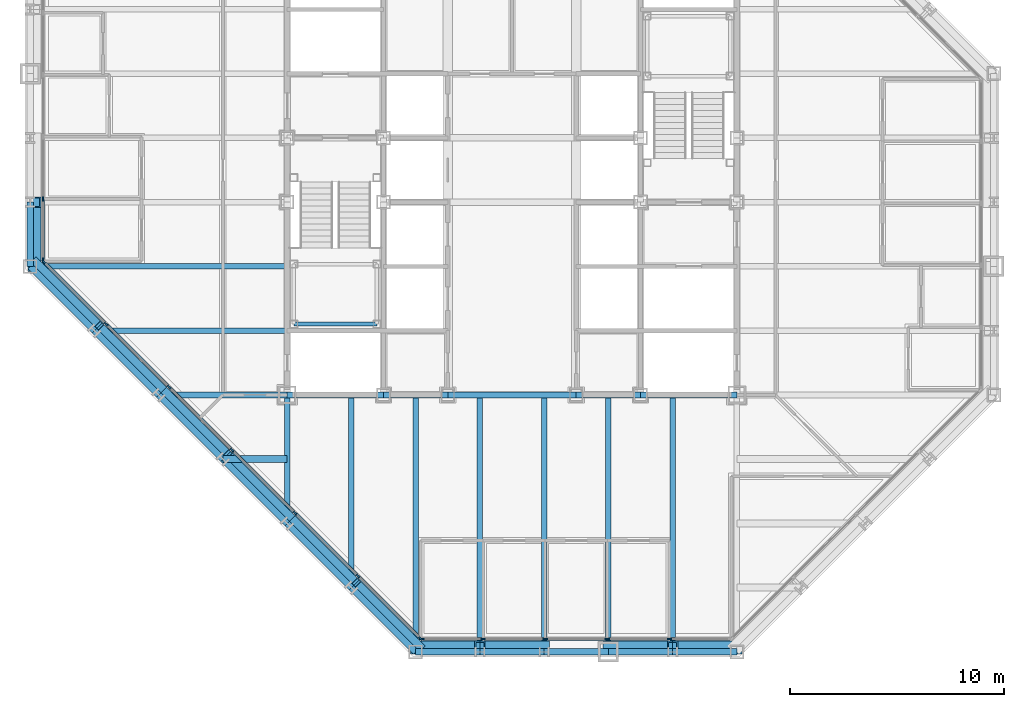
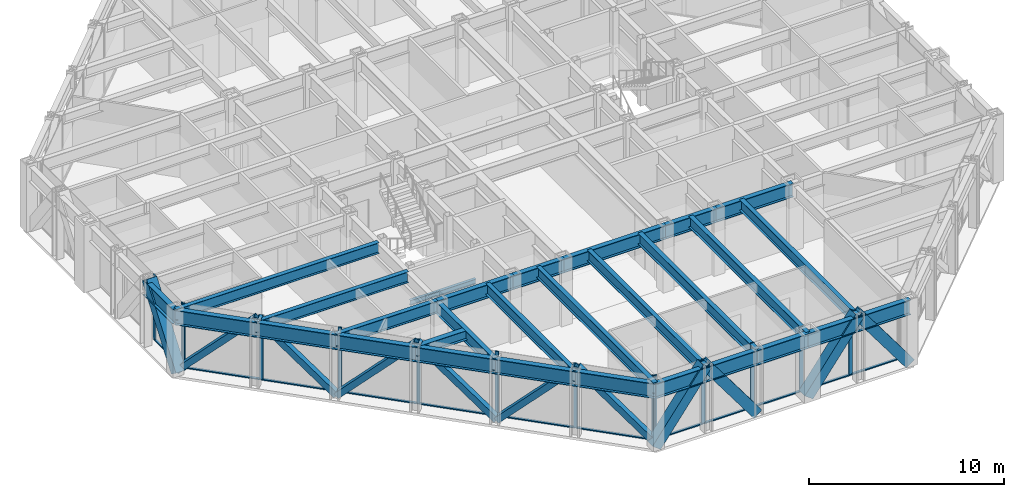
# One storey, part 4 of 15: 37 members, 29 beams, 3 elements without a shape of their own.
"""IFC4 building model written with IfcOpenShell, lengths in metres."""

from ifc_helpers import new_model, si_unit, direction, frame, origin, origin_2d, place, context, subcontext, project, spatial, rectangle, hollow_rectangle, i_section, extrude, material, layer, layer_set, material_profile, profile_set, type_object, element, aggregate, save


model = new_model("IFC4")

# Units and contexts
model_context = context("Model", 3, precision=1e-05, world=origin(), true_north=direction((0.0, 1.0)))
body_context = subcontext(model_context, "Body", "Model", "MODEL_VIEW")
ifc_project = project(units=[si_unit("LENGTHUNIT", "METRE"), si_unit("AREAUNIT", "SQUARE_METRE"), si_unit("VOLUMEUNIT", "CUBIC_METRE"), si_unit("PLANEANGLEUNIT", "RADIAN"), si_unit("MASSUNIT", "GRAM", prefix="KILO")], contexts=[model_context])

# Site, building, storey
site_placement = place(None, origin())
site = spatial("IfcSite", under=ifc_project, at=site_placement, CompositionType="ELEMENT")
building_placement = place(site_placement, origin())
building = spatial("IfcBuilding", under=site, at=building_placement, Name="Chuquiago Exchange Tower", CompositionType="ELEMENT")
storey_placement = place(building_placement, frame((0.0, 0.0, 192.89990234375)))
storey = spatial("IfcBuildingStorey", under=building, at=storey_placement, Name="L42", CompositionType="ELEMENT", Elevation=192.89990234375)

# Beams
ifc_material_1 = material(Name="Steel ASTM A992", Category="steel")
ifc_material_profile_1 = material_profile(ifc_material_1, i_section(OverallWidth=0.25390625, OverallDepth=0.683349609375, WebThickness=0.012451171875, FlangeThickness=0.018798828125, at=origin_2d()), Name="W27X94")
ifc_profile_set_1 = profile_set([ifc_material_profile_1], Name="Steel ASTM A992")
beam_type_1 = type_object("IfcBeamType", Name="B1 W27X94", PredefinedType="BEAM", material=ifc_profile_set_1)
beam_1_placement = place(storey_placement, frame((15.0, 12.0, 3.698486328125), z_axis=(0.0, -1.0, 0.0), x_axis=(1.0, 0.0, 0.0)))
element("IfcBeam", 1, at=beam_1_placement, inside=storey, type_object=beam_type_1, Name="FB-L43-infill-15_12-15_3-0", PredefinedType="BEAM", context=body_context, shape_type="SweptSolid", body=[
    extrude(i_section(OverallWidth=0.25390625, OverallDepth=0.683349609375, WebThickness=0.012451171875, FlangeThickness=0.018798828125, at=origin_2d()), origin(), (0.0, 0.0, 1.0), 9.0),
])
for number, where, z_axis, x_axis, name in (
    (2, (18.0, 12.0, 3.698486328125), (0.0, -1.0, 0.0), (1.0, 0.0, 0.0), "FB-L43-infill-18_12-18_-0-0"),
    (3, (21.0, 12.0, 3.698486328125), (0.0, -1.0, 0.0), (1.0, 0.0, 0.0), "FB-L43-infill-21_12-21_-0-0"),
    (4, (24.0, 12.0, 3.698486328125), (0.0, -1.0, 0.0), (1.0, 0.0, 0.0), "FB-L43-infill-24_12-24_-0-0"),
    (5, (27.0, 12.0, 3.698486328125), (0.0, -1.0, 0.0), (1.0, 0.0, 0.0), "FB-L43-infill-27_12-27_-0-0"),
    (6, (30.0, 12.0, 3.698486328125), (0.0, -1.0, 0.0), (1.0, 0.0, 0.0), "FB-L43-infill-30_12-30_-0-0"),
):
    element("IfcBeam", number, at=place(storey_placement, frame(where, z_axis=z_axis, x_axis=x_axis)), inside=storey, type_object=beam_type_1, Name=name, PredefinedType="BEAM", context=body_context, shape_type="SweptSolid", body=[
        extrude(i_section(OverallWidth=0.25390625, OverallDepth=0.683349609375, WebThickness=0.012451171875, FlangeThickness=0.018798828125, at=origin_2d()), origin(), (0.0, 0.0, 1.0), 12.0),
    ])
beam_2_placement = place(storey_placement, frame((12.0, 15.0, 3.698486328125), z_axis=(-1.0, 0.0, 0.0), x_axis=(0.0, -1.0, 0.0)))
element("IfcBeam", 7, at=beam_2_placement, inside=storey, type_object=beam_type_1, Name="FB-L43-infill-12_15-3_15-0", PredefinedType="BEAM", context=body_context, shape_type="SweptSolid", body=[
    extrude(i_section(OverallWidth=0.25390625, OverallDepth=0.683349609375, WebThickness=0.012451171875, FlangeThickness=0.018798828125, at=origin_2d()), origin(), (0.0, 0.0, 1.0), 9.0),
])
beam_3_placement = place(storey_placement, frame((12.0, 18.0, 3.698486328125), z_axis=(-1.0, 0.0, 0.0), x_axis=(0.0, -1.0, 0.0)))
element("IfcBeam", 8, at=beam_3_placement, inside=storey, type_object=beam_type_1, Name="FB-L43-infill-12_18--0_18-0", PredefinedType="BEAM", context=body_context, shape_type="SweptSolid", body=[
    extrude(i_section(OverallWidth=0.25390625, OverallDepth=0.683349609375, WebThickness=0.012451171875, FlangeThickness=0.018798828125, at=origin_2d()), origin(), (0.0, 0.0, 1.0), 12.0),
])
ifc_material_2 = material(Name="Steel ASTM A992", Category="steel")
ifc_material_profile_2 = material_profile(ifc_material_2, i_section(OverallWidth=0.3251953125, OverallDepth=0.612060546875, WebThickness=0.0126953125, FlangeThickness=0.01904296875, at=origin_2d()), Name="W24X104")
ifc_profile_set_2 = profile_set([ifc_material_profile_2], Name="Steel ASTM A992")
beam_type_2 = type_object("IfcBeamType", Name="B2 W24X104", PredefinedType="BEAM", material=ifc_profile_set_2)
beam_4_placement = place(storey_placement, frame((12.0, 9.0, 3.73388671875), z_axis=(-1.0, 0.0, 0.0), x_axis=(0.0, -1.0, 0.0)))
element("IfcBeam", 9, at=beam_4_placement, inside=storey, type_object=beam_type_2, Name="FB-L43-corner-12_9-9_9-0", PredefinedType="BEAM", context=body_context, shape_type="SweptSolid", body=[
    extrude(i_section(OverallWidth=0.3251953125, OverallDepth=0.612060546875, WebThickness=0.0126953125, FlangeThickness=0.01904296875, at=origin_2d()), origin(), (0.0, 0.0, 1.0), 3.0),
])
ifc_material_3 = material(Name="Steel ASTM A992", Category="steel")
ifc_material_profile_3 = material_profile(ifc_material_3, i_section(OverallWidth=0.2919921875, OverallDepth=0.8583984375, WebThickness=0.01708984375, FlangeThickness=0.031005859375, at=origin_2d()), Name="W33X169")
ifc_profile_set_3 = profile_set([ifc_material_profile_3], Name="Steel ASTM A992")
beam_type_3 = type_object("IfcBeamType", Name="B3 W33X169", PredefinedType="BEAM", material=ifc_profile_set_3)
beam_5_placement = place(storey_placement, frame((12.0, 12.0, 3.61083984375), z_axis=(1.0, 0.0, 0.0), x_axis=(0.0, 1.0, 0.0)))
element("IfcBeam", 10, at=beam_5_placement, inside=storey, type_object=beam_type_3, Name="CB-L43-12_12-16.5_12", PredefinedType="BEAM", context=body_context, shape_type="SweptSolid", body=[
    extrude(i_section(OverallWidth=0.2919921875, OverallDepth=0.8583984375, WebThickness=0.01708984375, FlangeThickness=0.031005859375, at=origin_2d()), origin(), (0.0, 0.0, 1.0), 4.5),
])
beam_6_placement = place(storey_placement, frame((16.5, 12.0, 3.61083984375), z_axis=(1.0, 0.0, 0.0), x_axis=(0.0, 1.0, 0.0)))
element("IfcBeam", 11, at=beam_6_placement, inside=storey, type_object=beam_type_3, Name="CB-L43-16.5_12-19.5_12", PredefinedType="BEAM", context=body_context, shape_type="SweptSolid", body=[
    extrude(i_section(OverallWidth=0.2919921875, OverallDepth=0.8583984375, WebThickness=0.01708984375, FlangeThickness=0.031005859375, at=origin_2d()), origin(), (0.0, 0.0, 1.0), 3.0),
])
beam_7_placement = place(storey_placement, frame((19.5, 12.0, 3.61083984375), z_axis=(1.0, 0.0, 0.0), x_axis=(0.0, 1.0, 0.0)))
element("IfcBeam", 12, at=beam_7_placement, inside=storey, type_object=beam_type_3, Name="CB-L43-19.5_12-25.5_12", PredefinedType="BEAM", context=body_context, shape_type="SweptSolid", body=[
    extrude(i_section(OverallWidth=0.2919921875, OverallDepth=0.8583984375, WebThickness=0.01708984375, FlangeThickness=0.031005859375, at=origin_2d()), origin(), (0.0, 0.0, 1.0), 6.0),
])
beam_8_placement = place(storey_placement, frame((25.5, 12.0, 3.61083984375), z_axis=(1.0, 0.0, 0.0), x_axis=(0.0, 1.0, 0.0)))
element("IfcBeam", 13, at=beam_8_placement, inside=storey, type_object=beam_type_3, Name="CB-L43-25.5_12-28.5_12", PredefinedType="BEAM", context=body_context, shape_type="SweptSolid", body=[
    extrude(i_section(OverallWidth=0.2919921875, OverallDepth=0.8583984375, WebThickness=0.01708984375, FlangeThickness=0.031005859375, at=origin_2d()), origin(), (0.0, 0.0, 1.0), 3.0),
])
beam_9_placement = place(storey_placement, frame((28.5, 12.0, 3.61083984375), z_axis=(1.0, 0.0, 0.0), x_axis=(0.0, 1.0, 0.0)))
element("IfcBeam", 14, at=beam_9_placement, inside=storey, type_object=beam_type_3, Name="CB-L43-28.5_12-33_12", PredefinedType="BEAM", context=body_context, shape_type="SweptSolid", body=[
    extrude(i_section(OverallWidth=0.2919921875, OverallDepth=0.8583984375, WebThickness=0.01708984375, FlangeThickness=0.031005859375, at=origin_2d()), origin(), (0.0, 0.0, 1.0), 4.5),
])

# Curtain wall, members
ifc_material_4 = material(Name="Aluminium curtain wall system", Category="aluminium")
ifc_layer_1 = layer(ifc_material_4, 0.22509765625)
ifc_layer_set_1 = layer_set([ifc_layer_1], Name="CW2 office curtain wall")
curtain_wall_type_1 = type_object("IfcCurtainWallType", Name="CW2 office curtain wall", PredefinedType="NOTDEFINED", material=ifc_layer_set_1)
curtain_wall_1_placement = place(storey_placement, origin())
curtain_wall_1 = element("IfcCurtainWall", 15, at=curtain_wall_1_placement, inside=storey, type_object=curtain_wall_type_1, Name="CW2 curtain wall L42", PredefinedType="NOTDEFINED")
ifc_material_5 = material(Name="Aluminium mullion, pale anodised", Category="aluminium")
ifc_material_profile_4 = material_profile(ifc_material_5, rectangle(XDim=0.06494140625, YDim=0.22509765625, at=origin_2d()), Name="AL 65x225")
ifc_profile_set_4 = profile_set([ifc_material_profile_4], Name="Aluminium mullion, pale anodised")
member_type_1 = type_object("IfcMemberType", Name="CW2-M mullion 65x225", PredefinedType="MULLION", material=ifc_profile_set_4)
member_1_placement = place(storey_placement, frame((18.281005859375, 0.60009765625, 0.0), z_axis=(0.0, 0.0, 1.0), x_axis=(0.0, 1.0, 0.0)))
member_1 = element("IfcMember", 16, at=member_1_placement, type_object=member_type_1, Name="CW2 mullion 1", PredefinedType="MULLION", context=body_context, shape_type="SweptSolid", body=[
    extrude(rectangle(XDim=0.06494140625, YDim=0.22509765625, at=origin_2d()), origin(), (0.0, 0.0, 1.0), 4.0400390625),
])
member_2_placement = place(storey_placement, frame((21.149169921875, 0.60009765625, 0.0), z_axis=(0.0, 0.0, 1.0), x_axis=(0.0, 1.0, 0.0)))
member_2 = element("IfcMember", 17, at=member_2_placement, type_object=member_type_1, Name="CW2 mullion 2", PredefinedType="MULLION", context=body_context, shape_type="SweptSolid", body=[
    extrude(rectangle(XDim=0.06494140625, YDim=0.22509765625, at=origin_2d()), origin(), (0.0, 0.0, 1.0), 4.0400390625),
])
member_3_placement = place(storey_placement, frame((24.0498046875, 0.60009765625, 0.0), z_axis=(0.0, 0.0, 1.0), x_axis=(0.0, 1.0, 0.0)))
member_3 = element("IfcMember", 18, at=member_3_placement, type_object=member_type_1, Name="CW2 mullion 3", PredefinedType="MULLION", context=body_context, shape_type="SweptSolid", body=[
    extrude(rectangle(XDim=0.06494140625, YDim=0.22509765625, at=origin_2d()), origin(), (0.0, 0.0, 1.0), 4.0400390625),
])
member_4_placement = place(storey_placement, frame((26.9501953125, 0.60009765625, 0.0), z_axis=(0.0, 0.0, 1.0), x_axis=(0.0, 1.0, 0.0)))
member_4 = element("IfcMember", 19, at=member_4_placement, type_object=member_type_1, Name="CW2 mullion 4", PredefinedType="MULLION", context=body_context, shape_type="SweptSolid", body=[
    extrude(rectangle(XDim=0.06494140625, YDim=0.22509765625, at=origin_2d()), origin(), (0.0, 0.0, 1.0), 4.0400390625),
])
member_5_placement = place(storey_placement, frame((29.850830078125, 0.60009765625, 0.0), z_axis=(0.0, 0.0, 1.0), x_axis=(0.0, 1.0, 0.0)))
member_5 = element("IfcMember", 20, at=member_5_placement, type_object=member_type_1, Name="CW2 mullion 5", PredefinedType="MULLION", context=body_context, shape_type="SweptSolid", body=[
    extrude(rectangle(XDim=0.06494140625, YDim=0.22509765625, at=origin_2d()), origin(), (0.0, 0.0, 1.0), 4.0400390625),
])

curtain_wall_2_placement = place(storey_placement, origin())
curtain_wall_2 = element("IfcCurtainWall", 21, at=curtain_wall_2_placement, inside=storey, type_object=curtain_wall_type_1, Name="CW2 curtain wall L42", PredefinedType="NOTDEFINED")
member_6_placement = place(storey_placement, frame((0.60009765625, 21.149169921875, 0.0), z_axis=(0.0, 0.0, 1.0), x_axis=(1.0, 0.0, 0.0)))
member_6 = element("IfcMember", 22, at=member_6_placement, type_object=member_type_1, Name="CW2 mullion 5", PredefinedType="MULLION", context=body_context, shape_type="SweptSolid", body=[
    extrude(rectangle(XDim=0.06494140625, YDim=0.22509765625, at=origin_2d()), origin(), (0.0, 0.0, 1.0), 4.0400390625),
])
member_7_placement = place(storey_placement, frame((0.60009765625, 18.281005859375, 0.0), z_axis=(0.0, 0.0, 1.0), x_axis=(1.0, 0.0, 0.0)))
member_7 = element("IfcMember", 23, at=member_7_placement, type_object=member_type_1, Name="CW2 mullion 6", PredefinedType="MULLION", context=body_context, shape_type="SweptSolid", body=[
    extrude(rectangle(XDim=0.06494140625, YDim=0.22509765625, at=origin_2d()), origin(), (0.0, 0.0, 1.0), 4.0400390625),
])

# Member
ifc_material_6 = material(Name="Aluminium transom, pale anodised", Category="aluminium")
ifc_material_profile_5 = material_profile(ifc_material_6, rectangle(XDim=0.139892578125, YDim=0.06494140625, at=origin_2d()), Name="AL 140x65")
ifc_profile_set_5 = profile_set([ifc_material_profile_5], Name="Aluminium transom, pale anodised")
member_type_2 = type_object("IfcMemberType", Name="CW2-T transom 65x140", PredefinedType="MULLION", material=ifc_profile_set_5)
member_8_placement = place(storey_placement, frame((18.3134765625, 0.60009765625, 0.03271484375), z_axis=(1.0, 0.0, 0.0), x_axis=(0.0, 1.0, 0.0)))
member_8 = element("IfcMember", 24, at=member_8_placement, type_object=member_type_2, Name="CW2 transom 1.1", PredefinedType="MULLION", context=body_context, shape_type="SweptSolid", body=[
    extrude(rectangle(XDim=0.139892578125, YDim=0.06494140625, at=origin_2d()), origin(), (0.0, 0.0, 1.0), 2.80322265625),
])

member_9_placement = place(storey_placement, frame((21.181640625, 0.60009765625, 0.03271484375), z_axis=(1.0, 0.0, 0.0), x_axis=(0.0, 1.0, 0.0)))
member_9 = element("IfcMember", 25, at=member_9_placement, type_object=member_type_2, Name="CW2 transom 2.1", PredefinedType="MULLION", context=body_context, shape_type="SweptSolid", body=[
    extrude(rectangle(XDim=0.139892578125, YDim=0.06494140625, at=origin_2d()), origin(), (0.0, 0.0, 1.0), 2.83544921875),
])

member_10_placement = place(storey_placement, frame((24.082275390625, 0.60009765625, 0.03271484375), z_axis=(1.0, 0.0, 0.0), x_axis=(0.0, 1.0, 0.0)))
member_10 = element("IfcMember", 26, at=member_10_placement, type_object=member_type_2, Name="CW2 transom 3.1", PredefinedType="MULLION", context=body_context, shape_type="SweptSolid", body=[
    extrude(rectangle(XDim=0.139892578125, YDim=0.06494140625, at=origin_2d()), origin(), (0.0, 0.0, 1.0), 2.83544921875),
])

member_11_placement = place(storey_placement, frame((26.98291015625, 0.60009765625, 0.03271484375), z_axis=(1.0, 0.0, 0.0), x_axis=(0.0, 1.0, 0.0)))
member_11 = element("IfcMember", 27, at=member_11_placement, type_object=member_type_2, Name="CW2 transom 4.1", PredefinedType="MULLION", context=body_context, shape_type="SweptSolid", body=[
    extrude(rectangle(XDim=0.139892578125, YDim=0.06494140625, at=origin_2d()), origin(), (0.0, 0.0, 1.0), 2.83544921875),
])

member_12_placement = place(storey_placement, frame((29.88330078125, 0.60009765625, 0.03271484375), z_axis=(1.0, 0.0, 0.0), x_axis=(0.0, 1.0, 0.0)))
member_12 = element("IfcMember", 28, at=member_12_placement, type_object=member_type_2, Name="CW2 transom 5.1", PredefinedType="MULLION", context=body_context, shape_type="SweptSolid", body=[
    extrude(rectangle(XDim=0.139892578125, YDim=0.06494140625, at=origin_2d()), origin(), (0.0, 0.0, 1.0), 2.80322265625),
])

aggregate(curtain_wall_1, [member_1, member_2, member_3, member_4, member_5, member_8, member_9, member_10, member_11, member_12])

member_13_placement = place(storey_placement, frame((0.60009765625, 21.11669921875, 0.03271484375), z_axis=(0.0, -1.0, 0.0), x_axis=(1.0, 0.0, 0.0)))
member_13 = element("IfcMember", 29, at=member_13_placement, type_object=member_type_2, Name="CW2 transom 5.1", PredefinedType="MULLION", context=body_context, shape_type="SweptSolid", body=[
    extrude(rectangle(XDim=0.139892578125, YDim=0.06494140625, at=origin_2d()), origin(), (0.0, 0.0, 1.0), 2.80322265625),
])

aggregate(curtain_wall_2, [member_6, member_7, member_13])

# Curtain wall, members
ifc_material_7 = material(Name="Aluminium curtain wall system", Category="aluminium")
ifc_layer_2 = layer(ifc_material_7, 0.199951171875)
ifc_layer_set_2 = layer_set([ifc_layer_2], Name="CW3 facet curtain wall")
curtain_wall_type_2 = type_object("IfcCurtainWallType", Name="CW3 facet curtain wall", PredefinedType="NOTDEFINED", material=ifc_layer_set_2)
curtain_wall_3_placement = place(storey_placement, origin())
curtain_wall_3 = element("IfcCurtainWall", 30, at=curtain_wall_3_placement, inside=storey, type_object=curtain_wall_type_2, Name="CW3 curtain wall L42", PredefinedType="NOTDEFINED")
ifc_material_8 = material(Name="Aluminium mullion, pale anodised", Category="aluminium")
ifc_material_profile_6 = material_profile(ifc_material_8, rectangle(XDim=0.06494140625, YDim=0.199951171875, at=origin_2d()), Name="AL 65x200")
ifc_profile_set_6 = profile_set([ifc_material_profile_6], Name="Aluminium mullion, pale anodised")
member_type_3 = type_object("IfcMemberType", Name="CW3-M mullion 65x200", PredefinedType="MULLION", material=ifc_profile_set_6)
member_14_placement = place(storey_placement, frame((0.623046875, 18.2255859375, 0.0), z_axis=(0.0, 0.0, 1.0), x_axis=(0.707106781187, 0.707106781187, 0.0)))
member_14 = element("IfcMember", 31, at=member_14_placement, type_object=member_type_3, Name="CW3 mullion 1", PredefinedType="MULLION", context=body_context, shape_type="SweptSolid", body=[
    extrude(rectangle(XDim=0.06494140625, YDim=0.199951171875, at=origin_2d()), origin(), (0.0, 0.0, 1.0), 4.0400390625),
])
member_15_placement = place(storey_placement, frame((3.54150390625, 15.30712890625, 0.0), z_axis=(0.0, 0.0, 1.0), x_axis=(0.707106781187, 0.707106781187, 0.0)))
member_15 = element("IfcMember", 32, at=member_15_placement, type_object=member_type_3, Name="CW3 mullion 2", PredefinedType="MULLION", context=body_context, shape_type="SweptSolid", body=[
    extrude(rectangle(XDim=0.06494140625, YDim=0.199951171875, at=origin_2d()), origin(), (0.0, 0.0, 1.0), 4.0400390625),
])
member_16_placement = place(storey_placement, frame((6.48291015625, 12.36572265625, 0.0), z_axis=(0.0, 0.0, 1.0), x_axis=(0.707106781187, 0.707106781187, 0.0)))
member_16 = element("IfcMember", 33, at=member_16_placement, type_object=member_type_3, Name="CW3 mullion 3", PredefinedType="MULLION", context=body_context, shape_type="SweptSolid", body=[
    extrude(rectangle(XDim=0.06494140625, YDim=0.199951171875, at=origin_2d()), origin(), (0.0, 0.0, 1.0), 4.0400390625),
])
member_17_placement = place(storey_placement, frame((9.42431640625, 9.42431640625, 0.0), z_axis=(0.0, 0.0, 1.0), x_axis=(0.707106781187, 0.707106781187, 0.0)))
member_17 = element("IfcMember", 34, at=member_17_placement, type_object=member_type_3, Name="CW3 mullion 4", PredefinedType="MULLION", context=body_context, shape_type="SweptSolid", body=[
    extrude(rectangle(XDim=0.06494140625, YDim=0.199951171875, at=origin_2d()), origin(), (0.0, 0.0, 1.0), 4.0400390625),
])
member_18_placement = place(storey_placement, frame((12.36572265625, 6.48291015625, 0.0), z_axis=(0.0, 0.0, 1.0), x_axis=(0.707106781187, 0.707106781187, 0.0)))
member_18 = element("IfcMember", 35, at=member_18_placement, type_object=member_type_3, Name="CW3 mullion 5", PredefinedType="MULLION", context=body_context, shape_type="SweptSolid", body=[
    extrude(rectangle(XDim=0.06494140625, YDim=0.199951171875, at=origin_2d()), origin(), (0.0, 0.0, 1.0), 4.0400390625),
])
member_19_placement = place(storey_placement, frame((15.30712890625, 3.54150390625, 0.0), z_axis=(0.0, 0.0, 1.0), x_axis=(0.707106781187, 0.707106781187, 0.0)))
member_19 = element("IfcMember", 36, at=member_19_placement, type_object=member_type_3, Name="CW3 mullion 6", PredefinedType="MULLION", context=body_context, shape_type="SweptSolid", body=[
    extrude(rectangle(XDim=0.06494140625, YDim=0.199951171875, at=origin_2d()), origin(), (0.0, 0.0, 1.0), 4.0400390625),
])
member_20_placement = place(storey_placement, frame((18.2255859375, 0.623046875, 0.0), z_axis=(0.0, 0.0, 1.0), x_axis=(0.707106781187, 0.707106781187, 0.0)))
member_20 = element("IfcMember", 37, at=member_20_placement, type_object=member_type_3, Name="CW3 mullion 7", PredefinedType="MULLION", context=body_context, shape_type="SweptSolid", body=[
    extrude(rectangle(XDim=0.06494140625, YDim=0.199951171875, at=origin_2d()), origin(), (0.0, 0.0, 1.0), 4.0400390625),
])
ifc_material_9 = material(Name="Aluminium transom, pale anodised", Category="aluminium")
ifc_material_profile_7 = material_profile(ifc_material_9, rectangle(XDim=0.139892578125, YDim=0.06494140625, at=origin_2d()), Name="AL 140x65")
ifc_profile_set_7 = profile_set([ifc_material_profile_7], Name="Aluminium transom, pale anodised")
member_type_4 = type_object("IfcMemberType", Name="CW3-T transom 65x140", PredefinedType="MULLION", material=ifc_profile_set_7)
member_21_placement = place(storey_placement, frame((0.64599609375, 18.20263671875, 0.03271484375), z_axis=(0.707106781187, -0.707106781187, 0.0), x_axis=(0.707106781187, 0.707106781187, 0.0)))
member_21 = element("IfcMember", 38, at=member_21_placement, type_object=member_type_4, Name="CW3 transom 1.1", PredefinedType="MULLION", context=body_context, shape_type="SweptSolid", body=[
    extrude(rectangle(XDim=0.139892578125, YDim=0.06494140625, at=origin_2d()), origin(), (0.0, 0.0, 1.0), 4.0625),
])
member_22_placement = place(storey_placement, frame((3.564453125, 15.2841796875, 0.03271484375), z_axis=(0.707106781187, -0.707106781187, 0.0), x_axis=(0.707106781187, 0.707106781187, 0.0)))
member_22 = element("IfcMember", 39, at=member_22_placement, type_object=member_type_4, Name="CW3 transom 2.1", PredefinedType="MULLION", context=body_context, shape_type="SweptSolid", body=[
    extrude(rectangle(XDim=0.139892578125, YDim=0.06494140625, at=origin_2d()), origin(), (0.0, 0.0, 1.0), 4.094970703125),
])
member_23_placement = place(storey_placement, frame((6.505859375, 12.3427734375, 0.03271484375), z_axis=(0.707106781187, -0.707106781187, 0.0), x_axis=(0.707106781187, 0.707106781187, 0.0)))
member_23 = element("IfcMember", 40, at=member_23_placement, type_object=member_type_4, Name="CW3 transom 3.1", PredefinedType="MULLION", context=body_context, shape_type="SweptSolid", body=[
    extrude(rectangle(XDim=0.139892578125, YDim=0.06494140625, at=origin_2d()), origin(), (0.0, 0.0, 1.0), 4.094970703125),
])
member_24_placement = place(storey_placement, frame((9.447265625, 9.4013671875, 0.03271484375), z_axis=(0.707106781187, -0.707106781187, 0.0), x_axis=(0.707106781187, 0.707106781187, 0.0)))
member_24 = element("IfcMember", 41, at=member_24_placement, type_object=member_type_4, Name="CW3 transom 4.1", PredefinedType="MULLION", context=body_context, shape_type="SweptSolid", body=[
    extrude(rectangle(XDim=0.139892578125, YDim=0.06494140625, at=origin_2d()), origin(), (0.0, 0.0, 1.0), 4.094970703125),
])
member_25_placement = place(storey_placement, frame((12.388671875, 6.4599609375, 0.03271484375), z_axis=(0.707106781187, -0.707106781187, 0.0), x_axis=(0.707106781187, 0.707106781187, 0.0)))
member_25 = element("IfcMember", 42, at=member_25_placement, type_object=member_type_4, Name="CW3 transom 5.1", PredefinedType="MULLION", context=body_context, shape_type="SweptSolid", body=[
    extrude(rectangle(XDim=0.139892578125, YDim=0.06494140625, at=origin_2d()), origin(), (0.0, 0.0, 1.0), 4.094970703125),
])
member_26_placement = place(storey_placement, frame((15.330078125, 3.5185546875, 0.03271484375), z_axis=(0.707106781187, -0.707106781187, 0.0), x_axis=(0.707106781187, 0.707106781187, 0.0)))
member_26 = element("IfcMember", 43, at=member_26_placement, type_object=member_type_4, Name="CW3 transom 6.1", PredefinedType="MULLION", context=body_context, shape_type="SweptSolid", body=[
    extrude(rectangle(XDim=0.139892578125, YDim=0.06494140625, at=origin_2d()), origin(), (0.0, 0.0, 1.0), 4.0625),
])
aggregate(curtain_wall_3, [member_14, member_15, member_16, member_17, member_18, member_19, member_20, member_21, member_22, member_23, member_24, member_25, member_26])

# Beams
ifc_material_10 = material(Name="Steel ASTM A992", Category="steel")
ifc_material_profile_8 = material_profile(ifc_material_10, i_section(OverallWidth=0.2666015625, OverallDepth=0.76953125, WebThickness=0.015625, FlangeThickness=0.025390625, at=origin_2d()), Name="W30X132")
ifc_profile_set_8 = profile_set([ifc_material_profile_8], Name="Steel ASTM A992")
beam_type_4 = type_object("IfcBeamType", Name="G1 W30X132", PredefinedType="BEAM", material=ifc_profile_set_8)
for number, where, z_axis, x_axis, name in (
    (44, (12.0, 12.0, 3.6552734375), (0.0, -1.0, 0.0), (1.0, 0.0, 0.0), "FB-L43-girder-12_12-12_6-0"),
    (45, (12.0, 12.0, 3.6552734375), (-1.0, 0.0, 0.0), (0.0, -1.0, 0.0), "FB-L43-girder-12_12-6_12-0"),
):
    element("IfcBeam", number, at=place(storey_placement, frame(where, z_axis=z_axis, x_axis=x_axis)), inside=storey, type_object=beam_type_4, Name=name, PredefinedType="BEAM", context=body_context, shape_type="SweptSolid", body=[
        extrude(i_section(OverallWidth=0.2666015625, OverallDepth=0.76953125, WebThickness=0.015625, FlangeThickness=0.025390625, at=origin_2d()), origin(), (0.0, 0.0, 1.0), 6.0),
    ])

# Members
ifc_material_11 = material(Name="Steel ASTM A500 Grade C", Category="steel")
ifc_material_profile_9 = material_profile(ifc_material_11, hollow_rectangle(XDim=0.355712890625, YDim=0.355712890625, WallThickness=0.0146484375, at=origin_2d()), Name="HSS14X14X5/8")
ifc_profile_set_9 = profile_set([ifc_material_profile_9], Name="Steel ASTM A500 Grade C")
member_type_5 = type_object("IfcMemberType", Name="LB2 HSS14X14X5/8", PredefinedType="BRACE", material=ifc_profile_set_9)
for number, where, z_axis, x_axis, name in (
    (46, (0.2314453125, 18.2314453125, 0.0), (0.512077265487, -0.512077265487, 0.689604051861), (0.707106781187, 0.707106781187, 0.0), "LB-L42-0_18-3_15"),
    (47, (6.2314453125, 12.2314453125, 0.0), (-0.512077265487, 0.512077265487, 0.689604051861), (-0.707106781187, -0.707106781187, 0.0), "LB-L42-3_15-6_12"),
    (48, (6.2314453125, 12.2314453125, 0.0), (0.512077265487, -0.512077265487, 0.689604051861), (0.707106781187, 0.707106781187, 0.0), "LB-L42-6_12-9_9"),
    (49, (12.2314453125, 6.2314453125, 0.0), (-0.512077265487, 0.512077265487, 0.689604051861), (-0.707106781187, -0.707106781187, 0.0), "LB-L42-9_9-12_6"),
    (50, (12.2314453125, 6.2314453125, 0.0), (0.512077265487, -0.512077265487, 0.689604051861), (0.707106781187, 0.707106781187, 0.0), "LB-L42-12_6-15_3"),
    (51, (18.2314453125, 0.2314453125, 0.0), (-0.512077265487, 0.512077265487, 0.689604051861), (-0.707106781187, -0.707106781187, 0.0), "LB-L42-15_3-18_0"),
):
    element("IfcMember", number, at=place(storey_placement, frame(where, z_axis=z_axis, x_axis=x_axis)), inside=storey, type_object=member_type_5, Name=name, PredefinedType="BRACE", context=body_context, shape_type="SweptSolid", body=[
        extrude(hollow_rectangle(XDim=0.355712890625, YDim=0.355712890625, WallThickness=0.0146484375, at=origin_2d()), origin(), (0.0, 0.0, 1.0), 5.8583984375),
    ])

# Beam
ifc_material_12 = material(Name="Steel ASTM A992", Category="steel")
ifc_material_profile_10 = material_profile(ifc_material_12, i_section(OverallWidth=0.164794921875, OverallDepth=0.309814453125, WebThickness=0.005859375, FlangeThickness=0.009765625, at=origin_2d()), Name="W12X26")
ifc_profile_set_10 = profile_set([ifc_material_profile_10], Name="Steel ASTM A992")
beam_type_5 = type_object("IfcBeamType", Name="LT1 W12X26", PredefinedType="BEAM", material=ifc_profile_set_10)
beam_10_placement = place(storey_placement, frame((12.31005859375, 15.31005859375, 1.7451171875), z_axis=(1.0, 0.0, 0.0), x_axis=(0.0, 1.0, 0.0)))
element("IfcBeam", 52, at=beam_10_placement, inside=storey, type_object=beam_type_5, Name="Stair ST1 L42 landing 1 trimmer", PredefinedType="BEAM", context=body_context, shape_type="SweptSolid", body=[
    extrude(i_section(OverallWidth=0.164794921875, OverallDepth=0.309814453125, WebThickness=0.005859375, FlangeThickness=0.009765625, at=origin_2d()), origin(), (0.0, 0.0, 1.0), 3.8798828125),
])

# Members
ifc_material_13 = material(Name="Steel ASTM A572 Grade 50", Category="steel")
ifc_material_profile_11 = material_profile(ifc_material_13, hollow_rectangle(XDim=0.60009765625, YDim=0.60009765625, WallThickness=0.06005859375, at=origin_2d()), Name="BOX600X600X60")
ifc_profile_set_11 = profile_set([ifc_material_profile_11], Name="Steel ASTM A572 Grade 50")
member_type_6 = type_object("IfcMemberType", Name="MB3 BOX600X600X60", PredefinedType="BRACE", material=ifc_profile_set_11)
for number, where, z_axis, x_axis, name in (
    (53, (18.0, 0.205078125, 0.0), (0.596173923302, 0.0, 0.802855312728), (0.0, 1.0, 0.0), "Mega diagonal L42 S face"),
    (54, (24.0, 0.205078125, 0.0), (-0.596173923302, 0.0, 0.802855312728), (0.0, -1.0, 0.0), "Mega diagonal L42 S face"),
    (55, (27.0, 0.205078125, 0.0), (0.596173923302, 0.0, 0.802855312728), (0.0, 1.0, 0.0), "Mega diagonal L42 S face"),
    (56, (33.0, 0.205078125, 0.0), (-0.596173923302, 0.0, 0.802855312728), (0.0, -1.0, 0.0), "Mega diagonal L42 S face"),
    (57, (0.205078125, 18.0, 0.0), (0.0, 0.596173923302, 0.802855312728), (-1.0, 0.0, 0.0), "Mega diagonal L42 W face"),
):
    element("IfcMember", number, at=place(storey_placement, frame(where, z_axis=z_axis, x_axis=x_axis)), inside=storey, type_object=member_type_6, Name=name, PredefinedType="BRACE", context=body_context, shape_type="SweptSolid", body=[
        extrude(hollow_rectangle(XDim=0.60009765625, YDim=0.60009765625, WallThickness=0.06005859375, at=origin_2d()), origin(), (0.0, 0.0, 1.0), 5.031982421875),
    ])

# Beams
ifc_material_14 = material(Name="Steel ASTM A992", Category="steel")
ifc_material_profile_12 = material_profile(ifc_material_14, i_section(OverallWidth=0.307373046875, OverallDepth=0.927001953125, WebThickness=0.01953125, FlangeThickness=0.031982421875, at=origin_2d()), Name="W36X194")
ifc_profile_set_12 = profile_set([ifc_material_profile_12], Name="Steel ASTM A992")
beam_type_6 = type_object("IfcBeamType", Name="SP3 W36X194", PredefinedType="SPANDREL", material=ifc_profile_set_12)
for number, where, z_axis, x_axis, name in (
    (58, (18.0, 0.0, 3.576416015625), (1.0, 0.0, 0.0), (0.0, 1.0, 0.0), "SPB-L43-18_0-21_0"),
    (59, (21.0, 0.0, 3.576416015625), (1.0, 0.0, 0.0), (0.0, 1.0, 0.0), "SPB-L43-21_0-24_0"),
    (60, (24.0, 0.0, 3.576416015625), (1.0, 0.0, 0.0), (0.0, 1.0, 0.0), "SPB-L43-24_0-27_0"),
    (61, (27.0, 0.0, 3.576416015625), (1.0, 0.0, 0.0), (0.0, 1.0, 0.0), "SPB-L43-27_0-30_0"),
    (62, (30.0, 0.0, 3.576416015625), (1.0, 0.0, 0.0), (0.0, 1.0, 0.0), "SPB-L43-30_0-33_0"),
    (63, (0.0, 21.0, 3.576416015625), (0.0, -1.0, 0.0), (1.0, 0.0, 0.0), "SPB-L43-0_21-0_18"),
):
    element("IfcBeam", number, at=place(storey_placement, frame(where, z_axis=z_axis, x_axis=x_axis)), inside=storey, type_object=beam_type_6, Name=name, PredefinedType="SPANDREL", context=body_context, shape_type="SweptSolid", body=[
        extrude(i_section(OverallWidth=0.307373046875, OverallDepth=0.927001953125, WebThickness=0.01953125, FlangeThickness=0.031982421875, at=origin_2d()), origin(), (0.0, 0.0, 1.0), 3.0),
    ])
for number, where, z_axis, x_axis, name in (
    (64, (0.0, 18.0, 3.576416015625), (0.707106781187, -0.707106781187, 0.0), (0.707106781187, 0.707106781187, 0.0), "SPB-L43-0_18-3_15"),
    (65, (3.0, 15.0, 3.576416015625), (0.707106781187, -0.707106781187, 0.0), (0.707106781187, 0.707106781187, 0.0), "SPB-L43-3_15-6_12"),
    (66, (6.0, 12.0, 3.576416015625), (0.707106781187, -0.707106781187, 0.0), (0.707106781187, 0.707106781187, 0.0), "SPB-L43-6_12-9_9"),
    (67, (9.0, 9.0, 3.576416015625), (0.707106781187, -0.707106781187, 0.0), (0.707106781187, 0.707106781187, 0.0), "SPB-L43-9_9-12_6"),
    (68, (12.0, 6.0, 3.576416015625), (0.707106781187, -0.707106781187, 0.0), (0.707106781187, 0.707106781187, 0.0), "SPB-L43-12_6-15_3"),
    (69, (15.0, 3.0, 3.576416015625), (0.707106781187, -0.707106781187, 0.0), (0.707106781187, 0.707106781187, 0.0), "SPB-L43-15_3-18_0"),
):
    element("IfcBeam", number, at=place(storey_placement, frame(where, z_axis=z_axis, x_axis=x_axis)), inside=storey, type_object=beam_type_6, Name=name, PredefinedType="SPANDREL", context=body_context, shape_type="SweptSolid", body=[
        extrude(i_section(OverallWidth=0.307373046875, OverallDepth=0.927001953125, WebThickness=0.01953125, FlangeThickness=0.031982421875, at=origin_2d()), origin(), (0.0, 0.0, 1.0), 4.24267578125),
    ])

save(model, "model.ifc")
